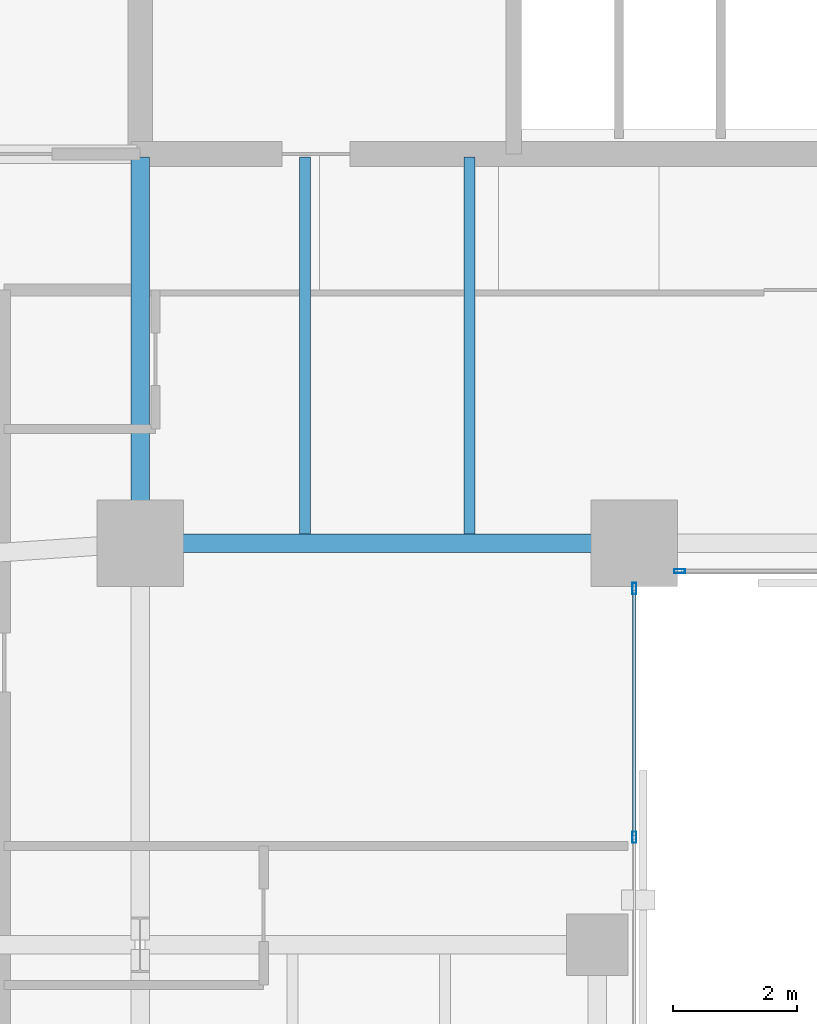
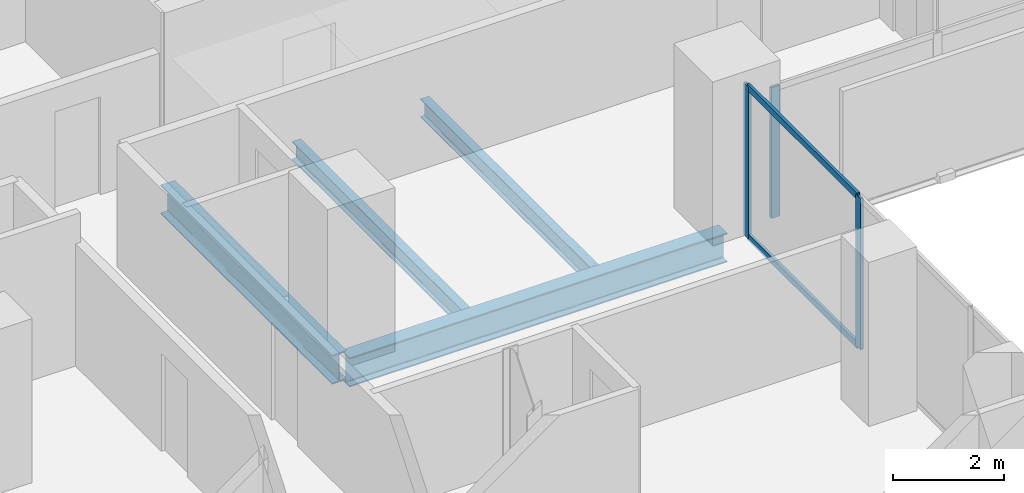
# One storey, part 12 of 32: 5 members, 4 beams, 2 elements without a shape of their own.
"""IFC4 building model written with IfcOpenShell, lengths in metres."""

from ifc_helpers import new_model, si_unit, direction, frame, origin, origin_2d, place, context, subcontext, project, spatial, hollow_rectangle, i_section, extrude, material, layer, layer_set, material_profile, profile_set, type_object, element, aggregate, save


model = new_model("IFC4")

# Units and contexts
model_context = context("Model", 3, precision=1e-05, world=origin(), true_north=direction((0.0, 1.0)))
body_context = subcontext(model_context, "Body", "Model", "MODEL_VIEW")
ifc_project = project(units=[si_unit("LENGTHUNIT", "METRE"), si_unit("AREAUNIT", "SQUARE_METRE"), si_unit("VOLUMEUNIT", "CUBIC_METRE"), si_unit("PLANEANGLEUNIT", "RADIAN"), si_unit("MASSUNIT", "GRAM", prefix="KILO")], contexts=[model_context])

# Site, building, storey
site_placement = place(None, origin())
site = spatial("IfcSite", under=ifc_project, at=site_placement, CompositionType="ELEMENT")
building_placement = place(site_placement, origin())
building = spatial("IfcBuilding", under=site, at=building_placement, Name="Catumbela Crestline Tower", CompositionType="ELEMENT")
storey_placement = place(building_placement, frame((0.0, 0.0, 29.4)))
storey = spatial("IfcBuildingStorey", under=building, at=storey_placement, Name="L06", CompositionType="ELEMENT", Elevation=29.4)

# Beams
ifc_material_1 = material(Name="Structural steel S355J2", Category="steel")
ifc_material_profile_1 = material_profile(ifc_material_1, i_section(OverallWidth=0.3, OverallDepth=0.64, WebThickness=0.0135, FlangeThickness=0.026, FilletRadius=0.027, at=origin_2d()), Name="HEA 650")
ifc_profile_set_1 = profile_set([ifc_material_profile_1], Name="Structural steel S355J2")
beam_type_1 = type_object("IfcBeamType", Name="BG-HEA650", PredefinedType="BEAM", material=ifc_profile_set_1)
beam_1_placement = place(storey_placement, frame((16.08, 24.5, -0.58), z_axis=(1.0, 0.0, 0.0), x_axis=(0.0, 1.0, 0.0)))
element("IfcBeam", 1, at=beam_1_placement, inside=storey, type_object=beam_type_1, Name="L06 Beam BM-L06-S04", PredefinedType="BEAM", context=body_context, shape_type="SweptSolid", body=[
    extrude(i_section(OverallWidth=0.3, OverallDepth=0.64, WebThickness=0.0135, FlangeThickness=0.026, FilletRadius=0.027, at=origin_2d()), origin(), (0.0, 0.0, 1.0), 7.84),
])
beam_2_placement = place(storey_placement, frame((16.0, 24.58, -0.58), z_axis=(0.0, 1.0, 0.0), x_axis=(-1.0, 0.0, 0.0)))
element("IfcBeam", 2, at=beam_2_placement, inside=storey, type_object=beam_type_1, Name="L06 Beam BM-L06-SNS31", PredefinedType="BEAM", context=body_context, shape_type="SweptSolid", body=[
    extrude(i_section(OverallWidth=0.3, OverallDepth=0.64, WebThickness=0.0135, FlangeThickness=0.026, FilletRadius=0.027, at=origin_2d()), origin(), (0.0, 0.0, 1.0), 6.17),
])
ifc_material_profile_2 = material_profile(ifc_material_1, i_section(OverallWidth=0.18, OverallDepth=0.4, WebThickness=0.0086, FlangeThickness=0.0135, FilletRadius=0.021, at=origin_2d()), Name="IPE 400")
ifc_profile_set_2 = profile_set([ifc_material_profile_2], Name="Structural steel S355J2")
beam_type_2 = type_object("IfcBeamType", Name="BJ-IPE400", PredefinedType="JOIST", material=ifc_profile_set_2)
for number, where, z_axis, x_axis, name in (
    (3, (18.667, 24.647, -0.46), (0.0, 1.0, 0.0), (-1.0, 0.0, 0.0), "L06 Joist JS-L06-SP42"),
    (4, (21.333, 24.647, -0.46), (0.0, 1.0, 0.0), (-1.0, 0.0, 0.0), "L06 Joist JS-L06-SP43"),
):
    element("IfcBeam", number, at=place(storey_placement, frame(where, z_axis=z_axis, x_axis=x_axis)), inside=storey, type_object=beam_type_2, Name=name, PredefinedType="JOIST", context=body_context, shape_type="SweptSolid", body=[
        extrude(i_section(OverallWidth=0.18, OverallDepth=0.4, WebThickness=0.0086, FlangeThickness=0.0135, FilletRadius=0.021, at=origin_2d()), origin(), (0.0, 0.0, 1.0), 6.103),
    ])

# Curtain wall, members
ifc_material_2 = material(Name="Aluminium alloy AW-6060-T66", Category="aluminium")
ifc_layer = layer(ifc_material_2, 0.18, Name="Aluminium alloy AW-6060-T66")
ifc_layer_set = layer_set([ifc_layer], Name="Aluminium alloy AW-6060-T66")
curtain_wall_type = type_object("IfcCurtainWallType", Name="CWU-Z1", PredefinedType="USERDEFINED", material=ifc_layer_set)
curtain_wall_1_placement = place(storey_placement, origin())
curtain_wall_1 = element("IfcCurtainWall", 5, at=curtain_wall_1_placement, inside=storey, type_object=curtain_wall_type, Name="L06 Unitised Curtain Wall CW-L06-E2S1", ObjectType="UNITISED", PredefinedType="USERDEFINED")
ifc_material_profile_3 = material_profile(ifc_material_2, hollow_rectangle(XDim=0.065, YDim=0.18, WallThickness=0.004, at=origin_2d()), Name="ALU 180x65x4")
ifc_profile_set_3 = profile_set([ifc_material_profile_3], Name="Aluminium alloy AW-6060-T66")
member_type_1 = type_object("IfcMemberType", Name="MUL-180X65", PredefinedType="MULLION", material=ifc_profile_set_3)
member_1_placement = place(storey_placement, frame((24.0, 19.74, 0.0), z_axis=(0.0, 0.0, 1.0), x_axis=(-1.0, 0.0, 0.0)))
member_1 = element("IfcMember", 6, at=member_1_placement, type_object=member_type_1, Name="CWU-Z1 mullion 5", PredefinedType="MULLION", context=body_context, shape_type="SweptSolid", body=[
    extrude(hollow_rectangle(XDim=0.065, YDim=0.18, WallThickness=0.004, at=origin_2d()), origin(), (0.0, 0.0, 1.0), 3.33),
])
member_2_placement = place(storey_placement, frame((24.0, 23.7675, 0.0), z_axis=(0.0, 0.0, 1.0), x_axis=(-1.0, 0.0, 0.0)))
member_2 = element("IfcMember", 7, at=member_2_placement, type_object=member_type_1, Name="CWU-Z1 mullion 6", PredefinedType="MULLION", context=body_context, shape_type="SweptSolid", body=[
    extrude(hollow_rectangle(XDim=0.065, YDim=0.18, WallThickness=0.004, at=origin_2d()), origin(), (0.0, 0.0, 1.0), 3.33),
])

# Curtain wall, member
curtain_wall_2_placement = place(storey_placement, origin())
curtain_wall_2 = element("IfcCurtainWall", 8, at=curtain_wall_2_placement, inside=storey, type_object=curtain_wall_type, Name="L06 Unitised Curtain Wall CW-L06-E3S1", ObjectType="UNITISED", PredefinedType="USERDEFINED")
member_3_placement = place(storey_placement, frame((24.7325, 24.05, 0.0), z_axis=(0.0, 0.0, 1.0), x_axis=(0.0, 1.0, 0.0)))
member_3 = element("IfcMember", 9, at=member_3_placement, type_object=member_type_1, Name="CWU-Z1 mullion 1", PredefinedType="MULLION", context=body_context, shape_type="SweptSolid", body=[
    extrude(hollow_rectangle(XDim=0.065, YDim=0.18, WallThickness=0.004, at=origin_2d()), origin(), (0.0, 0.0, 1.0), 2.87),
])
aggregate(curtain_wall_2, [member_3])

# Member
ifc_material_profile_4 = material_profile(ifc_material_2, hollow_rectangle(XDim=0.06, YDim=0.14, WallThickness=0.004, at=origin_2d()), Name="ALU 140x60x4")
ifc_profile_set_4 = profile_set([ifc_material_profile_4], Name="Aluminium alloy AW-6060-T66")
member_type_2 = type_object("IfcMemberType", Name="TRN-140X60", PredefinedType="USERDEFINED", material=ifc_profile_set_4)
member_4_placement = place(storey_placement, frame((24.0, 19.7725, 0.03), z_axis=(0.0, 1.0, 0.0), x_axis=(-1.0, 0.0, 0.0)))
member_4 = element("IfcMember", 10, at=member_4_placement, type_object=member_type_2, Name="CWU-Z1 transom 5.1", ObjectType="TRANSOM", PredefinedType="USERDEFINED", context=body_context, shape_type="SweptSolid", body=[
    extrude(hollow_rectangle(XDim=0.06, YDim=0.14, WallThickness=0.004, at=origin_2d()), origin(), (0.0, 0.0, 1.0), 3.9625),
])

member_5_placement = place(storey_placement, frame((24.0, 19.7725, 3.3), z_axis=(0.0, 1.0, 0.0), x_axis=(-1.0, 0.0, 0.0)))
member_5 = element("IfcMember", 11, at=member_5_placement, type_object=member_type_2, Name="CWU-Z1 transom 5.2", ObjectType="TRANSOM", PredefinedType="USERDEFINED", context=body_context, shape_type="SweptSolid", body=[
    extrude(hollow_rectangle(XDim=0.06, YDim=0.14, WallThickness=0.004, at=origin_2d()), origin(), (0.0, 0.0, 1.0), 3.9625),
])

aggregate(curtain_wall_1, [member_1, member_2, member_4, member_5])

save(model, "model.ifc")
